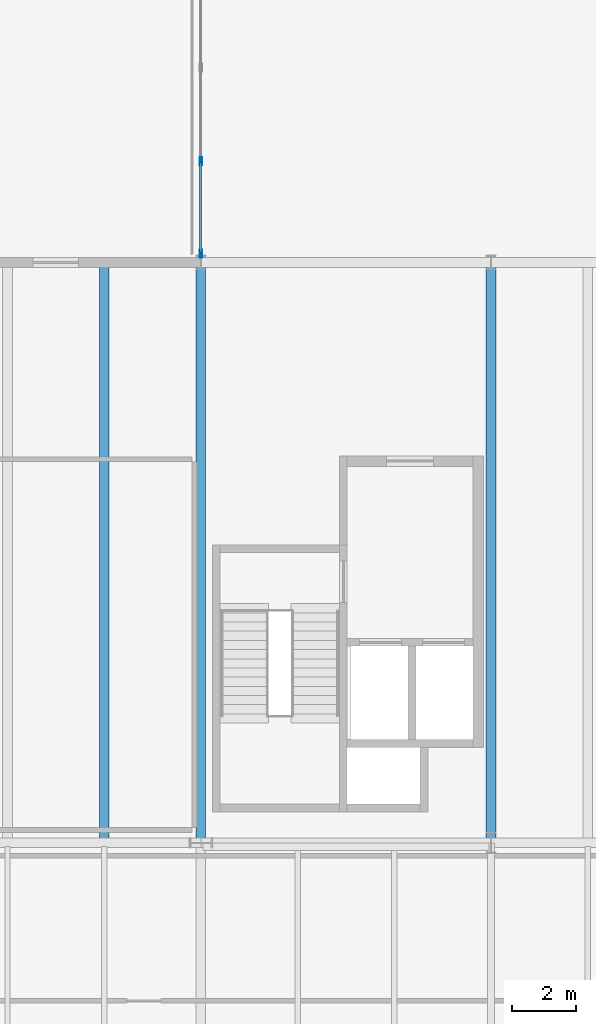
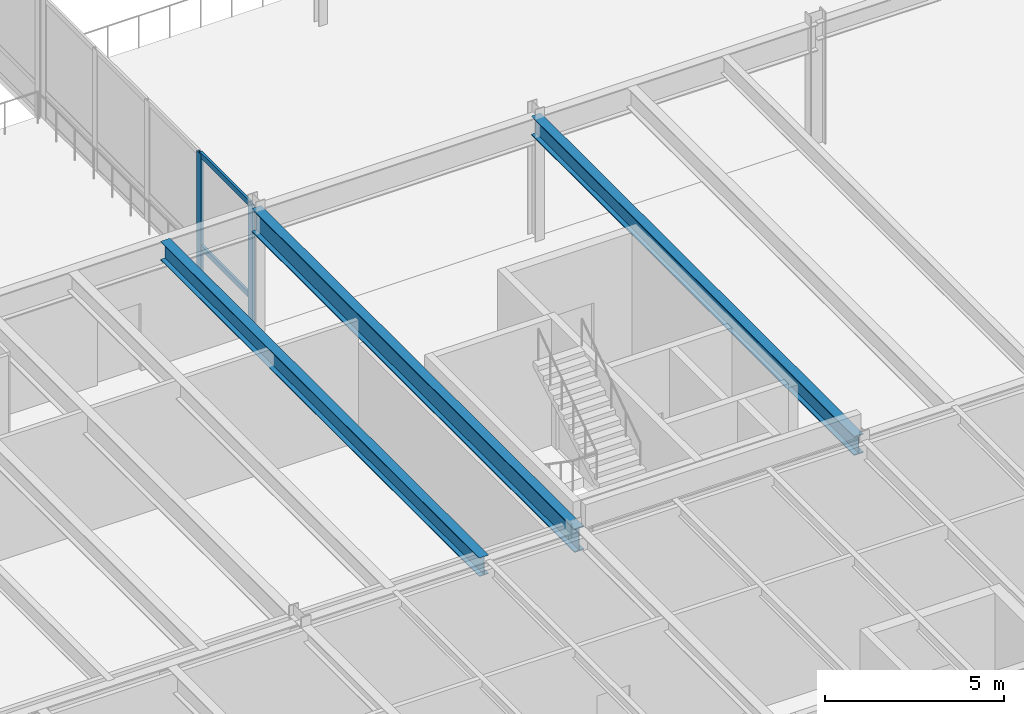
# One storey, part 29 of 115: 5 members, 3 beams, 1 element without a shape of its own.
"""IFC4 building model written with IfcOpenShell, lengths in metres."""

from ifc_helpers import new_model, si_unit, direction, frame, origin, origin_2d, place, context, subcontext, project, spatial, hollow_rectangle, i_section, extrude, material, layer, layer_set, material_profile, profile_set, type_object, element, aggregate, save


model = new_model("IFC4")

# Units and contexts
model_context = context("Model", 3, precision=1e-05, world=origin(), true_north=direction((0.0, 1.0)))
body_context = subcontext(model_context, "Body", "Model", "MODEL_VIEW")
ifc_project = project(units=[si_unit("LENGTHUNIT", "METRE"), si_unit("AREAUNIT", "SQUARE_METRE"), si_unit("VOLUMEUNIT", "CUBIC_METRE"), si_unit("PLANEANGLEUNIT", "RADIAN"), si_unit("MASSUNIT", "GRAM", prefix="KILO")], contexts=[model_context])

# Site, building, storey
site_placement = place(None, origin())
site = spatial("IfcSite", under=ifc_project, at=site_placement, CompositionType="ELEMENT")
building_placement = place(site_placement, origin())
building = spatial("IfcBuilding", under=site, at=building_placement, Name="Montelvaro Courts of Justice", CompositionType="ELEMENT")
storey_placement = place(building_placement, frame((0.0, 0.0, 9.89990234375)))
storey = spatial("IfcBuildingStorey", under=building, at=storey_placement, Name="L02", CompositionType="ELEMENT", Elevation=9.89990234375)

# Beams
ifc_material_1 = material(Name="Steel S355", Category="steel")
ifc_material_profile_1 = material_profile(ifc_material_1, i_section(OverallWidth=0.300048828125, OverallDepth=0.639892578125, WebThickness=0.013427734375, FlangeThickness=0.02587890625, at=origin_2d()), Name="HEA 650")
ifc_profile_set_1 = profile_set([ifc_material_profile_1], Name="Steel S355")
beam_type_1 = type_object("IfcBeamType", Name="Beam_HEA650", PredefinedType="USERDEFINED", material=ifc_profile_set_1)
beam_1_placement = place(storey_placement, frame((51.0, 24.110107421875, 3.840087890625), z_axis=(0.0, 1.0, 0.0), x_axis=(-1.0, 0.0, 0.0)))
element("IfcBeam", 1, at=beam_1_placement, inside=storey, type_object=beam_type_1, Name="Beam B-22 L02", ObjectType="GIRDER", PredefinedType="USERDEFINED", context=body_context, shape_type="SweptSolid", body=[
    extrude(i_section(OverallWidth=0.300048828125, OverallDepth=0.639892578125, WebThickness=0.013427734375, FlangeThickness=0.02587890625, at=origin_2d()), origin(), (0.0, 0.0, 1.0), 17.77978515625),
])
ifc_material_profile_2 = material_profile(ifc_material_1, i_section(OverallWidth=0.300048828125, OverallDepth=0.64990234375, WebThickness=0.01611328125, FlangeThickness=0.031005859375, at=origin_2d()), Name="HEB 650")
ifc_profile_set_2 = profile_set([ifc_material_profile_2], Name="Steel S355")
beam_type_2 = type_object("IfcBeamType", Name="Beam_HEB650", PredefinedType="USERDEFINED", material=ifc_profile_set_2)
beam_2_placement = place(storey_placement, frame((63.0, 24.0, 3.835205078125), z_axis=(0.0, 1.0, 0.0), x_axis=(-1.0, 0.0, 0.0)))
element("IfcBeam", 2, at=beam_2_placement, inside=storey, type_object=beam_type_2, Name="Beam B-27 L02", ObjectType="GIRDER", PredefinedType="USERDEFINED", context=body_context, shape_type="SweptSolid", body=[
    extrude(i_section(OverallWidth=0.300048828125, OverallDepth=0.64990234375, WebThickness=0.01611328125, FlangeThickness=0.031005859375, at=origin_2d()), origin(), (0.0, 0.0, 1.0), 18.0),
])
ifc_material_profile_3 = material_profile(ifc_material_1, i_section(OverallWidth=0.300048828125, OverallDepth=0.800048828125, WebThickness=0.017578125, FlangeThickness=0.032958984375, at=origin_2d()), Name="HEB 800")
ifc_profile_set_3 = profile_set([ifc_material_profile_3], Name="Steel S355")
beam_type_3 = type_object("IfcBeamType", Name="Beam_HEB800", PredefinedType="USERDEFINED", material=ifc_profile_set_3)
beam_3_placement = place(storey_placement, frame((54.0, 24.0, 3.760009765625), z_axis=(0.0, 1.0, 0.0), x_axis=(-1.0, 0.0, 0.0)))
element("IfcBeam", 3, at=beam_3_placement, inside=storey, type_object=beam_type_3, Name="Beam B-29 L02", ObjectType="GIRDER", PredefinedType="USERDEFINED", context=body_context, shape_type="SweptSolid", body=[
    extrude(i_section(OverallWidth=0.300048828125, OverallDepth=0.800048828125, WebThickness=0.017578125, FlangeThickness=0.032958984375, at=origin_2d()), origin(), (0.0, 0.0, 1.0), 18.0),
])

# Curtain wall, members
ifc_material_2 = material(Name="Anodised aluminium EN AW-6063", Category="aluminium")
ifc_layer = layer(ifc_material_2, 0.159912109375)
ifc_layer_set = layer_set([ifc_layer], Name="Anodised aluminium EN AW-6063")
curtain_wall_type = type_object("IfcCurtainWallType", Name="CurtainWall_19_1159x418", PredefinedType="USERDEFINED", material=ifc_layer_set)
curtain_wall_placement = place(storey_placement, origin())
curtain_wall = element("IfcCurtainWall", 4, at=curtain_wall_placement, inside=storey, type_object=curtain_wall_type, Name="Curtain Wall CW-19 (L02)", ObjectType="CURTAIN WALL", PredefinedType="USERDEFINED")
ifc_material_profile_4 = material_profile(ifc_material_2, hollow_rectangle(XDim=0.074951171875, YDim=0.25, WallThickness=0.005615234375, at=origin_2d()), Name="ALU-M 75x250")
ifc_profile_set_4 = profile_set([ifc_material_profile_4], Name="Anodised aluminium EN AW-6063")
member_type_1 = type_object("IfcMemberType", Name="CurtainWall_Mullion_75x250", PredefinedType="MULLION", material=ifc_profile_set_4)
member_1_placement = place(storey_placement, frame((54.0, 45.143798828125, 0.0), z_axis=(0.0, 0.0, 1.0), x_axis=(1.0, 0.0, 0.0)))
member_1 = element("IfcMember", 5, at=member_1_placement, type_object=member_type_1, Name="CW-19 mullion 4", PredefinedType="MULLION", context=body_context, shape_type="SweptSolid", body=[
    extrude(hollow_rectangle(XDim=0.074951171875, YDim=0.25, WallThickness=0.005615234375, at=origin_2d()), origin(), (0.0, 0.0, 1.0), 4.1201171875),
])
member_2_placement = place(storey_placement, frame((54.0, 42.277587890625, 0.0), z_axis=(0.0, 0.0, 1.0), x_axis=(1.0, 0.0, 0.0)))
member_2 = element("IfcMember", 6, at=member_2_placement, type_object=member_type_1, Name="CW-19 mullion 5", PredefinedType="MULLION", context=body_context, shape_type="SweptSolid", body=[
    extrude(hollow_rectangle(XDim=0.074951171875, YDim=0.25, WallThickness=0.005615234375, at=origin_2d()), origin(), (0.0, 0.0, 1.0), 4.1201171875),
])
ifc_material_profile_5 = material_profile(ifc_material_2, hollow_rectangle(XDim=0.074951171875, YDim=0.179931640625, WallThickness=0.0048828125, at=origin_2d()), Name="ALU-T 75x180")
ifc_profile_set_5 = profile_set([ifc_material_profile_5], Name="Anodised aluminium EN AW-6063")
member_type_2 = type_object("IfcMemberType", Name="CurtainWall_Transom_75x180", PredefinedType="USERDEFINED", material=ifc_profile_set_5)
member_3_placement = place(storey_placement, frame((54.0, 45.106201171875, 0.03759765625), z_axis=(0.0, -1.0, 0.0), x_axis=(1.0, 0.0, 0.0)))
member_3 = element("IfcMember", 7, at=member_3_placement, type_object=member_type_2, Name="CW-19 transom 4.1", ObjectType="TRANSOM", PredefinedType="USERDEFINED", context=body_context, shape_type="SweptSolid", body=[
    extrude(hollow_rectangle(XDim=0.074951171875, YDim=0.179931640625, WallThickness=0.0048828125, at=origin_2d()), origin(), (0.0, 0.0, 1.0), 2.791259765625),
])
member_4_placement = place(storey_placement, frame((54.0, 45.106201171875, 0.9501953125), z_axis=(0.0, -1.0, 0.0), x_axis=(1.0, 0.0, 0.0)))
member_4 = element("IfcMember", 8, at=member_4_placement, type_object=member_type_2, Name="CW-19 transom 4.2", ObjectType="TRANSOM", PredefinedType="USERDEFINED", context=body_context, shape_type="SweptSolid", body=[
    extrude(hollow_rectangle(XDim=0.074951171875, YDim=0.179931640625, WallThickness=0.0048828125, at=origin_2d()), origin(), (0.0, 0.0, 1.0), 2.791259765625),
])
member_5_placement = place(storey_placement, frame((54.0, 45.106201171875, 4.08251953125), z_axis=(0.0, -1.0, 0.0), x_axis=(1.0, 0.0, 0.0)))
member_5 = element("IfcMember", 9, at=member_5_placement, type_object=member_type_2, Name="CW-19 transom 4.3", ObjectType="TRANSOM", PredefinedType="USERDEFINED", context=body_context, shape_type="SweptSolid", body=[
    extrude(hollow_rectangle(XDim=0.074951171875, YDim=0.179931640625, WallThickness=0.0048828125, at=origin_2d()), origin(), (0.0, 0.0, 1.0), 2.791259765625),
])
aggregate(curtain_wall, [member_1, member_2, member_3, member_4, member_5])

save(model, "model.ifc")
